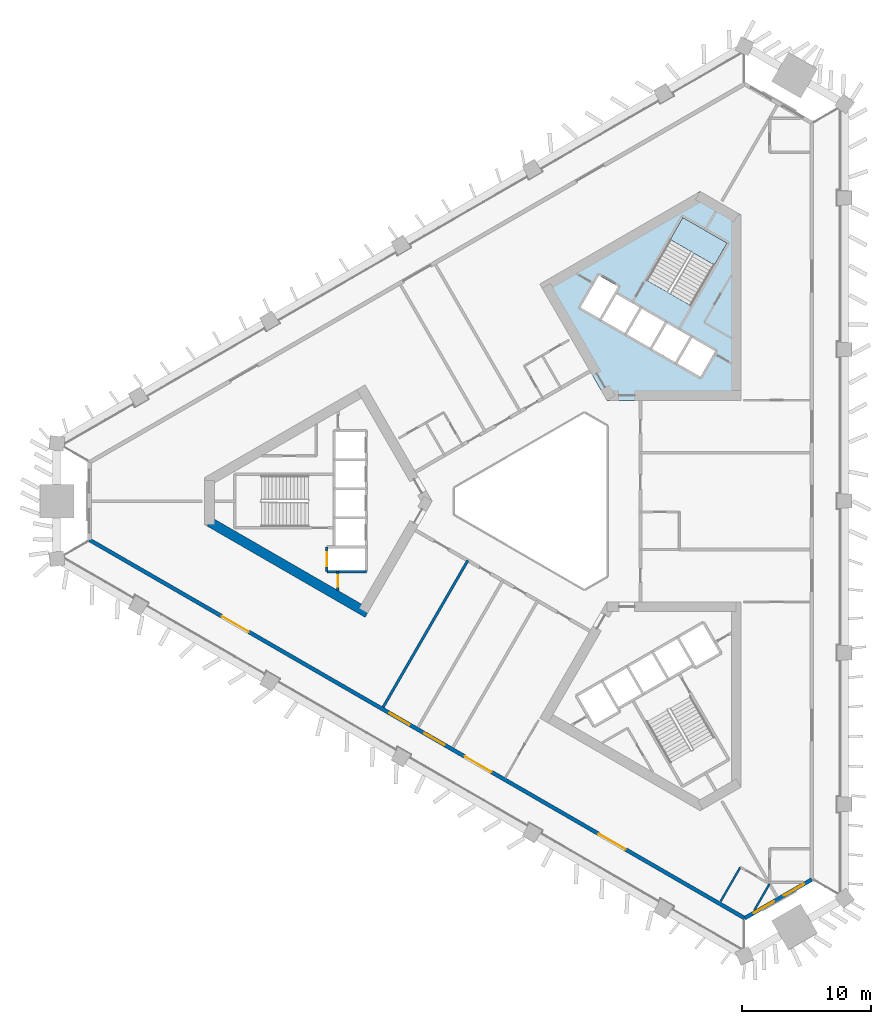
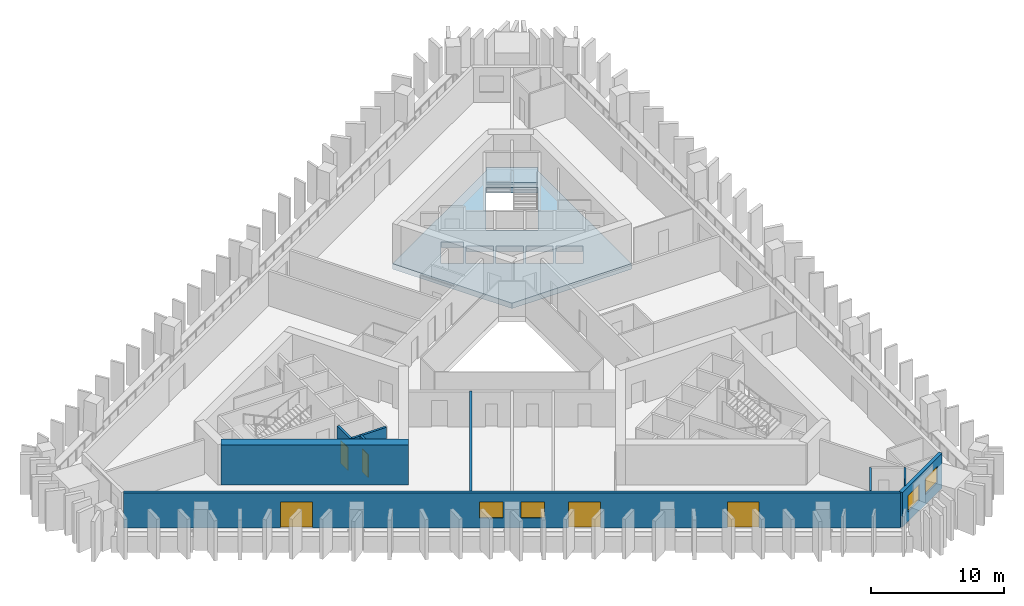
# One storey, part 2 of 10: 9 walls, 5 doors, 4 windows, 2 slabs, 9 openings, 1 element without a shape of its own.
"""IFC4 building model written with IfcOpenShell, lengths in metres."""

import ifcopenshell
import ifcopenshell.guid

model = None  # the IFC model being written
_history = None  # IfcOwnerHistory: only IFC2X3 demands one
_inside = {}  # id of a spatial element -> (the spatial element, [elements in it])
_under = {}  # id of a project, library or spatial element -> (it, [spatial elements below it])
_declared = {}  # id of a project -> (the project, [libraries it declares])
_typed = {}  # id of a type object -> (the type object, [elements of that type])
_made_of = {}  # id of a material, layer set ... -> (it, [elements and type objects made of it])


def new_model(schema):
    """Start an empty IFC model of exactly this schema.

    Asked for "IFC4X3", IfcOpenShell would pick the latest addendum, in which some entities
    have other attributes; the version numbers below select the first issue.
    IFC2X3 requires an IfcOwnerHistory on every rooted entity: one is made here for all.
    """
    global model, _history
    if schema == "IFC4X3":
        model = ifcopenshell.file(schema_version=(4, 3, 0, 0))
    else:
        model = ifcopenshell.file(schema=schema)
    _inside.clear()
    _under.clear()
    _declared.clear()
    _typed.clear()
    _made_of.clear()
    _history = None
    if model.schema == "IFC2X3":
        org = make("IfcOrganization", Name="unknown")
        user = make(
            "IfcPersonAndOrganization",
            ThePerson=make("IfcPerson", FamilyName="unknown"),
            TheOrganization=org,
        )
        app = make(
            "IfcApplication",
            ApplicationDeveloper=org,
            Version="unknown",
            ApplicationFullName="unknown",
            ApplicationIdentifier="unknown",
        )
        _history = make(
            "IfcOwnerHistory",
            OwningUser=user,
            OwningApplication=app,
            ChangeAction="ADDED",
            CreationDate=0,
        )
    return model


def make(cls, **values):
    """One entity of the class cls with the attributes given. An attribute that is None is left unset."""
    return model.create_entity(
        cls, **{name: value for name, value in values.items() if value is not None}
    )


def rooted(cls, **values):
    """An entity with a GlobalId (a new one), such as an element, a storey or a relation."""
    return make(cls, GlobalId=ifcopenshell.guid.new(), OwnerHistory=_history, **values)


def si_unit(unit_type, name, prefix=None):
    """IfcSIUnit, for example si_unit("LENGTHUNIT", "METRE", prefix="MILLI")."""
    return make("IfcSIUnit", UnitType=unit_type, Prefix=prefix, Name=name)


def assignment(units):
    """IfcUnitAssignment: the units of a project."""
    return None if units is None else make("IfcUnitAssignment", Units=units)


def point(xyz):
    """IfcCartesianPoint."""
    return None if xyz is None else make("IfcCartesianPoint", Coordinates=xyz)


def direction(xyz):
    """IfcDirection."""
    return None if xyz is None else make("IfcDirection", DirectionRatios=xyz)


def frame(location, z_axis=None, x_axis=None):
    """IfcAxis2Placement3D, a coordinate frame: its origin and axes. An axis left out is left unset."""
    return make(
        "IfcAxis2Placement3D",
        Location=point(location),
        Axis=direction(z_axis),
        RefDirection=direction(x_axis),
    )


def frame_2d(location, x_axis=None):
    """IfcAxis2Placement2D, a coordinate frame in the plane: its origin and x axis."""
    return make(
        "IfcAxis2Placement2D", Location=point(location), RefDirection=direction(x_axis)
    )


def origin():
    """The frame at (0, 0, 0) with its axes left unset."""
    return frame((0.0, 0.0, 0.0))


def place(relative_to, where):
    """IfcLocalPlacement: puts the frame where relative to a parent placement (None: the world)."""
    return make(
        "IfcLocalPlacement", PlacementRelTo=relative_to, RelativePlacement=where
    )


def context(
    kind, dimensions, precision=None, world=None, true_north=None, identifier=None
):
    """IfcGeometricRepresentationContext, for example the 3D "Model" context."""
    return make(
        "IfcGeometricRepresentationContext",
        ContextIdentifier=identifier,
        ContextType=kind,
        CoordinateSpaceDimension=dimensions,
        Precision=precision,
        WorldCoordinateSystem=world,
        TrueNorth=true_north,
    )


def subcontext(parent, identifier, kind, view, scale=None):
    """IfcGeometricRepresentationSubContext, for example "Body" below "Model"."""
    return make(
        "IfcGeometricRepresentationSubContext",
        ContextIdentifier=identifier,
        ContextType=kind,
        ParentContext=parent,
        TargetScale=scale,
        TargetView=view,
    )


def project(units=None, contexts=None):
    """IfcProject with its units and contexts."""
    return rooted(
        "IfcProject",
        Name="project",
        RepresentationContexts=contexts,
        UnitsInContext=assignment(units),
    )


def spatial(cls, under=None, at=None, **own):
    """A site, building, storey or space (cls), placed at a placement, below another one or the project."""
    s = rooted(cls, ObjectPlacement=at, **own)
    if under is not None:
        _under.setdefault(under.id(), (under, []))[1].append(s)
    return s


def polyline(points):
    """IfcPolyline through the points."""
    return make("IfcPolyline", Points=[point(p) for p in points])


def profile(cls, at=None, kind="AREA", **sizes):
    """A parametric profile (cls). Its sizes go by their IFC names, for example OverallWidth=200.0."""
    return make(cls, ProfileType=kind, Position=at, **sizes)


def rectangle(**sizes):
    """IfcRectangleProfileDef."""
    return profile("IfcRectangleProfileDef", **sizes)


def outline(outer, holes=None, kind="AREA"):
    """IfcArbitraryClosedProfileDef: a profile drawn as a closed curve; with holes, ...WithVoids."""
    if holes is None:
        return make("IfcArbitraryClosedProfileDef", ProfileType=kind, OuterCurve=outer)
    return make(
        "IfcArbitraryProfileDefWithVoids",
        ProfileType=kind,
        OuterCurve=outer,
        InnerCurves=holes,
    )


def extrude(swept, where, along, depth):
    """IfcExtrudedAreaSolid: the profile swept, set in the frame where, extruded along a direction by depth."""
    return make(
        "IfcExtrudedAreaSolid",
        SweptArea=swept,
        Position=where,
        ExtrudedDirection=direction(along),
        Depth=depth,
    )


def shape(context_of_items, identifier, shape_type, items):
    """IfcShapeRepresentation: the items that make up one representation, for example the "Body"."""
    return make(
        "IfcShapeRepresentation",
        ContextOfItems=context_of_items,
        RepresentationIdentifier=identifier,
        RepresentationType=shape_type,
        Items=items,
    )


def material(Name=None, Category=None):
    """IfcMaterial."""
    return make("IfcMaterial", Name=Name, Category=Category)


def layer(
    of_material, thickness, ventilated=None, Name=None, Category=None, Priority=None
):
    """IfcMaterialLayer: one layer of a wall or slab, of a material (None: an air gap)."""
    return make(
        "IfcMaterialLayer",
        Material=of_material,
        LayerThickness=thickness,
        IsVentilated=ventilated,
        Name=Name,
        Category=Category,
        Priority=Priority,
    )


def layer_set(layers, Name=None):
    """IfcMaterialLayerSet."""
    return make("IfcMaterialLayerSet", MaterialLayers=layers, LayerSetName=Name)


def made_of(thing, what):
    """Note that an element or type object is made of a material, layer set ...; save() writes the relation."""
    if what is not None:
        _made_of.setdefault(what.id(), (what, []))[1].append(thing)
    return thing


def type_object(cls, material=None, **own):
    """A type object (cls), such as IfcWallType, which elements share."""
    return made_of(rooted(cls, **own), material)


def element(
    cls,
    number,
    at=None,
    inside=None,
    cuts=None,
    type_object=None,
    material=None,
    context=None,
    identifier="Body",
    shape_type=None,
    held_by="IfcProductDefinitionShape",
    body=None,
    shapes=None,
    **own,
):
    """One element of the class cls, such as IfcWall. Its Tag is "e" and its number.

    at: its placement. inside: the storey or other place that contains it. cuts: it is an
    opening in that element (IfcRelVoidsElement). A single representation is given by context,
    identifier, shape_type and body (its items); several are given by shapes. held_by: the class
    of the entity that holds the representations. save() writes the other relations.
    """
    e = rooted(cls, Tag="e%d" % number, ObjectPlacement=at, **own)
    if body is not None:
        shapes = [shape(context, identifier, shape_type, body)]
    if shapes is not None:
        e.Representation = make(held_by, Representations=shapes)
    if inside is not None:
        _inside.setdefault(inside.id(), (inside, []))[1].append(e)
    if cuts is not None:
        rooted(
            "IfcRelVoidsElement", RelatingBuildingElement=cuts, RelatedOpeningElement=e
        )
    if type_object is not None:
        _typed.setdefault(type_object.id(), (type_object, []))[1].append(e)
    return made_of(e, material)


def fill(opening, filler):
    """IfcRelFillsElement: the door or window that sits in an opening."""
    return rooted(
        "IfcRelFillsElement",
        RelatingOpeningElement=opening,
        RelatedBuildingElement=filler,
    )


def aggregate(whole, parts):
    """IfcRelAggregates: a whole, such as a stair, and the parts it consists of."""
    return rooted("IfcRelAggregates", RelatingObject=whole, RelatedObjects=parts)


def save(model, path):
    """Write the relations noted so far, then the file.

    IfcRelAggregates (storeys below a building ...), IfcRelContainedInSpatialStructure (elements
    in a storey), IfcRelDefinesByType, IfcRelAssociatesMaterial and IfcRelDeclares: one each for
    every whole, place, type object, material and project.
    """
    for whole, parts in _under.values():
        aggregate(whole, parts)
    for where, things in _inside.values():
        rooted(
            "IfcRelContainedInSpatialStructure",
            RelatedElements=things,
            RelatingStructure=where,
        )
    for kind, things in _typed.values():
        rooted("IfcRelDefinesByType", RelatedObjects=things, RelatingType=kind)
    for what, things in _made_of.values():
        rooted("IfcRelAssociatesMaterial", RelatedObjects=things, RelatingMaterial=what)
    for by, libraries in _declared.values():
        rooted("IfcRelDeclares", RelatingContext=by, RelatedDefinitions=libraries)
    model.write(path)


model = new_model("IFC4")

# Units and contexts
model_context = context("Model", 3, precision=1e-05, world=origin(), true_north=direction((0.0, 1.0)))
body_context = subcontext(model_context, "Body", "Model", "MODEL_VIEW")
ifc_project = project(units=[si_unit("LENGTHUNIT", "METRE"), si_unit("AREAUNIT", "SQUARE_METRE"), si_unit("VOLUMEUNIT", "CUBIC_METRE"), si_unit("PLANEANGLEUNIT", "RADIAN"), si_unit("MASSUNIT", "GRAM", prefix="KILO")], contexts=[model_context])

# Site, building, storey
site_placement = place(None, origin())
site = spatial("IfcSite", under=ifc_project, at=site_placement, CompositionType="ELEMENT")
building_placement = place(site_placement, origin())
building = spatial("IfcBuilding", under=site, at=building_placement, Name="Jabali Bay Hotel Tower and Convention Centre", CompositionType="ELEMENT")
storey_placement = place(building_placement, frame((0.0, 0.0, 86.89990234375)))
storey = spatial("IfcBuildingStorey", under=building, at=storey_placement, Name="L20", CompositionType="ELEMENT", Elevation=86.89990234375)

# Slab
ifc_material_1 = material(Name="Concrete C40", Category="concrete")
ifc_layer_1 = layer(ifc_material_1, 0.5)
ifc_layer_set_1 = layer_set([ifc_layer_1], Name="Concrete C40")
slab_type_1 = type_object("IfcSlabType", Name="Core floor slab 500", PredefinedType="FLOOR", material=ifc_layer_set_1)
slab_1_placement = place(storey_placement, frame((0.0, 0.0, -0.5)))
element("IfcSlab", 1, at=slab_1_placement, inside=storey, type_object=slab_type_1, Name="Core floor slab 2 L20", PredefinedType="FLOOR", context=body_context, shape_type="SweptSolid", body=[
    extrude(outline(polyline([(79.5, 87.794189453125), (89.8798828125, 87.794189453125), (89.8798828125, 102.127685546875), (86.72314453125, 103.9501953125), (74.31005859375, 96.78369140625), (79.5, 87.794189453125)]), holes=[polyline([(84.957763671875, 90.6474609375), (86.733154296875, 89.62255859375), (87.873291015625, 91.59716796875), (86.097900390625, 92.6220703125), (84.957763671875, 90.6474609375)]), polyline([(84.1494140625, 93.7470703125), (83.00927734375, 91.7724609375), (84.78466796875, 90.74755859375), (85.924560546875, 92.72216796875), (84.1494140625, 93.7470703125)]), polyline([(82.20068359375, 94.8720703125), (81.060791015625, 92.8974609375), (82.836181640625, 91.87255859375), (83.97607421875, 93.84716796875), (82.20068359375, 94.8720703125)]), polyline([(79.1123046875, 94.0224609375), (80.887451171875, 92.99755859375), (82.027587890625, 94.97216796875), (80.252197265625, 95.9970703125), (79.1123046875, 94.0224609375)]), polyline([(78.891845703125, 97.440673828125), (77.466796875, 94.97265625), (78.93896484375, 94.12255859375), (80.364013671875, 96.5908203125), (78.891845703125, 97.440673828125)]), polyline([(82.584716796875, 97.0869140625), (86.00537109375, 95.11181640625), (88.80029296875, 99.952880859375), (85.379638671875, 101.927978515625), (82.584716796875, 97.0869140625)])]), origin(), (0.0, 0.0, 1.0), 0.5),
])

# Stair, slab
stair_type = type_object("IfcStairType", Name="Exit stair 1900", PredefinedType="HALF_TURN_STAIR", material=ifc_material_1)
stair_placement = place(storey_placement, origin())
stair = element("IfcStair", 2, at=stair_placement, inside=storey, type_object=stair_type, Name="L20 Exit Stair 2", PredefinedType="HALF_TURN_STAIR")
ifc_layer_2 = layer(ifc_material_1, 0.199951171875)
ifc_layer_set_2 = layer_set([ifc_layer_2], Name="Concrete C40")
slab_type_2 = type_object("IfcSlabType", Name="Stair landing 200", PredefinedType="LANDING", material=ifc_layer_set_2)
slab_2_placement = place(storey_placement, frame((0.0, 0.0, 1.650146484375)))
slab_2 = element("IfcSlab", 3, at=slab_2_placement, type_object=slab_type_2, Name="ST2 landing 1", PredefinedType="LANDING", context=body_context, shape_type="SweptSolid", body=[
    extrude(outline(polyline([(87.81884765625, 98.2529296875), (88.80029296875, 99.952880859375), (85.379638671875, 101.927978515625), (84.398193359375, 100.22802734375), (87.81884765625, 98.2529296875)])), origin(), (0.0, 0.0, 1.0), 0.199951171875),
])
aggregate(stair, [slab_2])

# Wall, opening, door
ifc_layer_3 = layer(ifc_material_1, 0.199951171875)
ifc_layer_set_3 = layer_set([ifc_layer_3], Name="Concrete C40")
wall_type_1 = type_object("IfcWallType", Name="Core partition wall 200", PredefinedType="PARTITIONING", material=ifc_layer_set_3)
wall_1_placement = place(storey_placement, frame((58.699951171875, 74.550048828125, 0.0), z_axis=(0.0, 0.0, 1.0), x_axis=(0.0, -1.0, 0.0)))
wall_1 = element("IfcWall", 4, at=wall_1_placement, inside=storey, type_object=wall_type_1, Name="Core wall 0.12 L20", PredefinedType="PARTITIONING", context=body_context, shape_type="SweptSolid", body=[
    extrude(rectangle(XDim=1.455078125, YDim=0.199951171875, at=frame_2d((0.7275390625, 0.0))), origin(), (0.0, 0.0, 1.0), 3.2001953125),
])
opening_1_placement = place(wall_1_placement, frame((0.277587890625, 0.0, 0.0)))
opening_1 = element("IfcOpeningElement", 5, at=opening_1_placement, cuts=wall_1, Name="Opening D476", PredefinedType="OPENING", context=body_context, shape_type="SweptSolid", body=[
    extrude(rectangle(XDim=0.89990234375, YDim=2.10009765625, at=frame_2d((0.449951171875, 1.050048828125))), frame((0.0, 0.1103515625, 0.0), z_axis=(0.0, -1.0, 0.0), x_axis=(1.0, 0.0, 0.0)), (0.0, 0.0, 1.0), 0.220947265625),
])
ifc_material_2 = material(Name="Fire-rated steel door", Category="steel")
door_type_1 = type_object("IfcDoorType", Name="Vestibule fire door 900 x 2100", OperationType="NOTDEFINED", PredefinedType="NOTDEFINED", material=ifc_material_2)
door_1_placement = place(opening_1_placement, origin())
door_1 = element("IfcDoor", 6, at=door_1_placement, inside=storey, type_object=door_type_1, Name="Vestibule fire door D476", OperationType="SINGLE_SWING_LEFT", OverallHeight=2.10009765625, OverallWidth=0.89990234375, PredefinedType="NOTDEFINED", context=body_context, shape_type="SweptSolid", body=[
    extrude(rectangle(XDim=0.89990234375, YDim=2.10009765625, at=frame_2d((0.449951171875, 1.050048828125))), frame((0.0, 0.02490234375, 0.0), z_axis=(0.0, -1.0, 0.0), x_axis=(1.0, 0.0, 0.0)), (0.0, 0.0, 1.0), 0.050048828125),
])
fill(opening_1, door_1)

# Wall
ifc_layer_4 = layer(ifc_material_1, 0.199951171875)
ifc_layer_set_4 = layer_set([ifc_layer_4], Name="Concrete C40")
wall_type_2 = type_object("IfcWallType", Name="Core stair wall 200", PredefinedType="SOLIDWALL", material=ifc_layer_set_4)
wall_2_placement = place(storey_placement, frame((60.89990234375, 74.550048828125, 0.0), z_axis=(0.0, 0.0, 1.0), x_axis=(-1.0, 0.0, 0.0)))
element("IfcWall", 7, at=wall_2_placement, inside=storey, type_object=wall_type_2, Name="Core wall 0.9 L20", PredefinedType="SOLIDWALL", context=body_context, shape_type="SweptSolid", body=[
    extrude(rectangle(XDim=3.0498046875, YDim=0.199951171875, at=frame_2d((1.52490234375, 0.0))), origin(), (0.0, 0.0, 1.0), 3.2001953125),
])

# Wall, opening, door
wall_3_placement = place(storey_placement, frame((57.85009765625, 76.449951171875, 0.0), z_axis=(0.0, 0.0, 1.0), x_axis=(0.0, -1.0, 0.0)))
wall_3 = element("IfcWall", 8, at=wall_3_placement, inside=storey, type_object=wall_type_2, Name="Core wall 0.14 L20", PredefinedType="SOLIDWALL", context=body_context, shape_type="SweptSolid", body=[
    extrude(rectangle(XDim=1.89990234375, YDim=0.199951171875, at=frame_2d((0.949951171875, 0.0))), origin(), (0.0, 0.0, 1.0), 3.2001953125),
])
opening_2_placement = place(wall_3_placement, frame((0.39990234375, 0.0, 0.0)))
opening_2 = element("IfcOpeningElement", 9, at=opening_2_placement, cuts=wall_3, Name="Opening LD5-L20", PredefinedType="OPENING", context=body_context, shape_type="SweptSolid", body=[
    extrude(rectangle(XDim=1.10009765625, YDim=2.10009765625, at=frame_2d((0.550048828125, 1.050048828125))), frame((0.0, 0.1103515625, 0.0), z_axis=(0.0, -1.0, 0.0), x_axis=(1.0, 0.0, 0.0)), (0.0, 0.0, 1.0), 0.220947265625),
])
ifc_material_3 = material(Name="Stainless steel landing door", Category="steel")
door_type_2 = type_object("IfcDoorType", Name="Landing door 1100 x 2100", OperationType="NOTDEFINED", PredefinedType="NOTDEFINED", material=ifc_material_3)
door_2_placement = place(opening_2_placement, origin())
door_2 = element("IfcDoor", 10, at=door_2_placement, inside=storey, type_object=door_type_2, Name="Landing doors LD5-L20", OperationType="SLIDING_TO_RIGHT", OverallHeight=2.10009765625, OverallWidth=1.10009765625, PredefinedType="NOTDEFINED", context=body_context, shape_type="SweptSolid", body=[
    extrude(rectangle(XDim=1.10009765625, YDim=2.10009765625, at=frame_2d((0.550048828125, 1.050048828125))), frame((0.0, 0.02490234375, 0.0), z_axis=(0.0, -1.0, 0.0), x_axis=(1.0, 0.0, 0.0)), (0.0, 0.0, 1.0), 0.050048828125),
])
fill(opening_2, door_2)

# Wall
ifc_material_4 = material(Name="Concrete C60", Category="concrete")
ifc_layer_5 = layer(ifc_material_4, 0.75)
ifc_layer_set_5 = layer_set([ifc_layer_5], Name="Concrete C60")
wall_type_3 = type_object("IfcWallType", Name="Core wall 750", PredefinedType="SHEAR", material=ifc_layer_set_5)
wall_4_placement = place(storey_placement, frame((48.77197265625, 78.393798828125, 0.0), z_axis=(0.0, 0.0, 1.0), x_axis=(0.866028339916, -0.499994914436, 0.0)))
element("IfcWall", 11, at=wall_4_placement, inside=storey, type_object=wall_type_3, Name="Core wall 1.4 L20", PredefinedType="SHEAR", context=body_context, shape_type="SweptSolid", body=[
    extrude(rectangle(XDim=14.116943359375, YDim=0.75, at=frame_2d((7.05859375, 0.0))), origin(), (0.0, 0.0, 1.0), 3.7001953125),
])

# Wall, openings, windows
ifc_layer_6 = layer(ifc_material_1, 0.300048828125)
ifc_layer_set_6 = layer_set([ifc_layer_6], Name="Concrete C40")
wall_type_4 = type_object("IfcWallType", Name="External wall 300", PredefinedType="SOLIDWALL", material=ifc_layer_set_6)
wall_5_placement = place(storey_placement, frame((95.351318359375, 50.739013671875, 0.0), z_axis=(0.0, 0.0, 1.0), x_axis=(-0.866026717539, -0.499997724503, 0.0)))
wall_5 = element("IfcWall", 12, at=wall_5_placement, inside=storey, type_object=wall_type_4, Name="External wall south-east chamfer L20", PredefinedType="SOLIDWALL", context=body_context, shape_type="SweptSolid", body=[
    extrude(rectangle(XDim=5.98828125, YDim=0.300048828125, at=frame_2d((2.994140625, 0.0))), origin(), (0.0, 0.0, 1.0), 3.2001953125),
])
opening_3_placement = place(wall_5_placement, frame((0.693359375, 0.0, 0.89990234375)))
opening_3 = element("IfcOpeningElement", 13, at=opening_3_placement, cuts=wall_5, Name="Opening W1", PredefinedType="OPENING", context=body_context, shape_type="SweptSolid", body=[
    extrude(rectangle(XDim=1.800048828125, YDim=1.5, at=frame_2d((0.89990234375, 0.75))), frame((0.0, 0.16064453125, 0.0), z_axis=(0.0, -1.0, 0.0), x_axis=(1.0, 0.0, 0.0)), (0.0, 0.0, 1.0), 0.321044921875),
])
opening_4_placement = place(wall_5_placement, frame((3.388671875, 0.0, 0.89990234375)))
opening_4 = element("IfcOpeningElement", 14, at=opening_4_placement, cuts=wall_5, Name="Opening W1", PredefinedType="OPENING", context=body_context, shape_type="SweptSolid", body=[
    extrude(rectangle(XDim=1.800048828125, YDim=1.5, at=frame_2d((0.89990234375, 0.75))), frame((0.0, 0.16064453125, 0.0), z_axis=(0.0, -1.0, 0.0), x_axis=(1.0, 0.0, 0.0)), (0.0, 0.0, 1.0), 0.321044921875),
])
ifc_material_5 = material(Name="Glass", Category="glass")
window_type = type_object("IfcWindowType", Name="Window 1800 x 1500", PartitioningType="SINGLE_PANEL", PredefinedType="WINDOW", material=ifc_material_5)
window_1_placement = place(opening_3_placement, origin())
window_1 = element("IfcWindow", 15, at=window_1_placement, inside=storey, type_object=window_type, Name="Window 2001", OverallHeight=1.5, OverallWidth=1.800048828125, PartitioningType="SINGLE_PANEL", PredefinedType="WINDOW", context=body_context, shape_type="SweptSolid", body=[
    extrude(rectangle(XDim=1.800048828125, YDim=1.5, at=frame_2d((0.89990234375, 0.75))), frame((0.0, 0.030029296875, 0.0), z_axis=(0.0, -1.0, 0.0), x_axis=(1.0, 0.0, 0.0)), (0.0, 0.0, 1.0), 0.06005859375),
])
fill(opening_3, window_1)
window_2_placement = place(opening_4_placement, origin())
window_2 = element("IfcWindow", 16, at=window_2_placement, inside=storey, type_object=window_type, Name="Window 2009", OverallHeight=1.5, OverallWidth=1.800048828125, PartitioningType="SINGLE_PANEL", PredefinedType="WINDOW", context=body_context, shape_type="SweptSolid", body=[
    extrude(rectangle(XDim=1.800048828125, YDim=1.5, at=frame_2d((0.89990234375, 0.75))), frame((0.0, 0.030029296875, 0.0), z_axis=(0.0, -1.0, 0.0), x_axis=(1.0, 0.0, 0.0)), (0.0, 0.0, 1.0), 0.06005859375),
])
fill(opening_4, window_2)

# Wall, openings, doors, windows
wall_6_placement = place(storey_placement, frame((90.165283203125, 47.744873046875, 0.0), z_axis=(0.0, 0.0, 1.0), x_axis=(-0.866025940441, 0.499999070483, 0.0)))
wall_6 = element("IfcWall", 17, at=wall_6_placement, inside=storey, type_object=wall_type_4, Name="External wall south-west face L20", PredefinedType="SOLIDWALL", context=body_context, shape_type="SweptSolid", body=[
    extrude(rectangle(XDim=58.52197265625, YDim=0.300048828125, at=frame_2d((29.260986328125, 0.0))), origin(), (0.0, 0.0, 1.0), 3.2001953125),
])
opening_5_placement = place(wall_6_placement, frame((44.293701171875, 0.0, 0.0)))
opening_5 = element("IfcOpeningElement", 18, at=opening_5_placement, cuts=wall_6, Name="Opening SD1", PredefinedType="OPENING", context=body_context, shape_type="SweptSolid", body=[
    extrude(rectangle(XDim=2.39990234375, YDim=2.39990234375, at=frame_2d((1.199951171875, 1.199951171875))), frame((0.0, 0.16064453125, 0.0), z_axis=(0.0, -1.0, 0.0), x_axis=(1.0, 0.0, 0.0)), (0.0, 0.0, 1.0), 0.321044921875),
])
opening_6_placement = place(wall_6_placement, frame((22.60498046875, 0.0, 0.0)))
opening_6 = element("IfcOpeningElement", 19, at=opening_6_placement, cuts=wall_6, Name="Opening SD1", PredefinedType="OPENING", context=body_context, shape_type="SweptSolid", body=[
    extrude(rectangle(XDim=2.39990234375, YDim=2.39990234375, at=frame_2d((1.199951171875, 1.199951171875))), frame((0.0, 0.16064453125, 0.0), z_axis=(0.0, -1.0, 0.0), x_axis=(1.0, 0.0, 0.0)), (0.0, 0.0, 1.0), 0.321044921875),
])
opening_7_placement = place(wall_6_placement, frame((10.65771484375, 0.0, 0.0)))
opening_7 = element("IfcOpeningElement", 20, at=opening_7_placement, cuts=wall_6, Name="Opening SD1", PredefinedType="OPENING", context=body_context, shape_type="SweptSolid", body=[
    extrude(rectangle(XDim=2.39990234375, YDim=2.39990234375, at=frame_2d((1.199951171875, 1.199951171875))), frame((0.0, 0.16064453125, 0.0), z_axis=(0.0, -1.0, 0.0), x_axis=(1.0, 0.0, 0.0)), (0.0, 0.0, 1.0), 0.321044921875),
])
opening_8_placement = place(wall_6_placement, frame((29.919921875, 0.0, 0.89990234375)))
opening_8 = element("IfcOpeningElement", 21, at=opening_8_placement, cuts=wall_6, Name="Opening W1", PredefinedType="OPENING", context=body_context, shape_type="SweptSolid", body=[
    extrude(rectangle(XDim=1.800048828125, YDim=1.5, at=frame_2d((0.89990234375, 0.75))), frame((0.0, 0.16064453125, 0.0), z_axis=(0.0, -1.0, 0.0), x_axis=(1.0, 0.0, 0.0)), (0.0, 0.0, 1.0), 0.321044921875),
])
opening_9_placement = place(wall_6_placement, frame((26.80224609375, 0.0, 0.89990234375)))
opening_9 = element("IfcOpeningElement", 22, at=opening_9_placement, cuts=wall_6, Name="Opening W1", PredefinedType="OPENING", context=body_context, shape_type="SweptSolid", body=[
    extrude(rectangle(XDim=1.800048828125, YDim=1.5, at=frame_2d((0.89990234375, 0.75))), frame((0.0, 0.16064453125, 0.0), z_axis=(0.0, -1.0, 0.0), x_axis=(1.0, 0.0, 0.0)), (0.0, 0.0, 1.0), 0.321044921875),
])
door_type_3 = type_object("IfcDoorType", Name="Loggia sliding door 2400 x 2400", OperationType="NOTDEFINED", PredefinedType="NOTDEFINED", material=ifc_material_5)
door_3_placement = place(opening_5_placement, origin())
door_3 = element("IfcDoor", 23, at=door_3_placement, inside=storey, type_object=door_type_3, Name="Loggia sliding door 2006", OperationType="SLIDING_TO_LEFT", OverallHeight=2.39990234375, OverallWidth=2.39990234375, PredefinedType="NOTDEFINED", context=body_context, shape_type="SweptSolid", body=[
    extrude(rectangle(XDim=2.39990234375, YDim=2.39990234375, at=frame_2d((1.199951171875, 1.199951171875))), frame((0.0, 0.02490234375, 0.0), z_axis=(0.0, -1.0, 0.0), x_axis=(1.0, 0.0, 0.0)), (0.0, 0.0, 1.0), 0.050048828125),
])
fill(opening_5, door_3)
door_4_placement = place(opening_6_placement, origin())
door_4 = element("IfcDoor", 24, at=door_4_placement, inside=storey, type_object=door_type_3, Name="Loggia sliding door 2009", OperationType="SLIDING_TO_RIGHT", OverallHeight=2.39990234375, OverallWidth=2.39990234375, PredefinedType="NOTDEFINED", context=body_context, shape_type="SweptSolid", body=[
    extrude(rectangle(XDim=2.39990234375, YDim=2.39990234375, at=frame_2d((1.199951171875, 1.199951171875))), frame((0.0, 0.02490234375, 0.0), z_axis=(0.0, -1.0, 0.0), x_axis=(1.0, 0.0, 0.0)), (0.0, 0.0, 1.0), 0.050048828125),
])
fill(opening_6, door_4)
door_5_placement = place(opening_7_placement, origin())
door_5 = element("IfcDoor", 25, at=door_5_placement, inside=storey, type_object=door_type_3, Name="Loggia sliding door 2009", OperationType="SLIDING_TO_LEFT", OverallHeight=2.39990234375, OverallWidth=2.39990234375, PredefinedType="NOTDEFINED", context=body_context, shape_type="SweptSolid", body=[
    extrude(rectangle(XDim=2.39990234375, YDim=2.39990234375, at=frame_2d((1.199951171875, 1.199951171875))), frame((0.0, 0.02490234375, 0.0), z_axis=(0.0, -1.0, 0.0), x_axis=(1.0, 0.0, 0.0)), (0.0, 0.0, 1.0), 0.050048828125),
])
fill(opening_7, door_5)
window_3_placement = place(opening_8_placement, origin())
window_3 = element("IfcWindow", 26, at=window_3_placement, inside=storey, type_object=window_type, Name="Window 2007", OverallHeight=1.5, OverallWidth=1.800048828125, PartitioningType="SINGLE_PANEL", PredefinedType="WINDOW", context=body_context, shape_type="SweptSolid", body=[
    extrude(rectangle(XDim=1.800048828125, YDim=1.5, at=frame_2d((0.89990234375, 0.75))), frame((0.0, 0.030029296875, 0.0), z_axis=(0.0, -1.0, 0.0), x_axis=(1.0, 0.0, 0.0)), (0.0, 0.0, 1.0), 0.06005859375),
])
fill(opening_8, window_3)
window_4_placement = place(opening_9_placement, origin())
window_4 = element("IfcWindow", 27, at=window_4_placement, inside=storey, type_object=window_type, Name="Window 2008", OverallHeight=1.5, OverallWidth=1.800048828125, PartitioningType="SINGLE_PANEL", PredefinedType="WINDOW", context=body_context, shape_type="SweptSolid", body=[
    extrude(rectangle(XDim=1.800048828125, YDim=1.5, at=frame_2d((0.89990234375, 0.75))), frame((0.0, 0.030029296875, 0.0), z_axis=(0.0, -1.0, 0.0), x_axis=(1.0, 0.0, 0.0)), (0.0, 0.0, 1.0), 0.06005859375),
])
fill(opening_9, window_4)

# Walls
ifc_material_6 = material(Name="Plasterboard on steel stud", Category="steel")
ifc_layer_7 = layer(ifc_material_6, 0.14990234375)
ifc_layer_set_7 = layer_set([ifc_layer_7], Name="Plasterboard on steel stud")
wall_type_5 = type_object("IfcWallType", Name="Partition 150 wet", PredefinedType="PARTITIONING", material=ifc_layer_set_7)
wall_7_placement = place(storey_placement, frame((88.297119140625, 49.042724609375, 0.0), z_axis=(0.0, 0.0, 1.0), x_axis=(0.499966498333, 0.866044745117, 0.0)))
element("IfcWall", 28, at=wall_7_placement, inside=storey, type_object=wall_type_5, Name="Partition P03 L20 031", PredefinedType="PARTITIONING", context=body_context, shape_type="SweptSolid", body=[
    extrude(rectangle(XDim=3.059814453125, YDim=0.14990234375, at=frame_2d((1.52978515625, 0.0))), origin(), (0.0, 0.0, 1.0), 3.2001953125),
])
wall_8_placement = place(storey_placement, frame((92.07861328125, 50.392578125, 0.0), z_axis=(0.0, 0.0, 1.0), x_axis=(-0.499953838557, -0.866052053466, 0.0)))
element("IfcWall", 29, at=wall_8_placement, inside=storey, type_object=wall_type_5, Name="Partition P03 L20 033", PredefinedType="PARTITIONING", context=body_context, shape_type="SweptSolid", body=[
    extrude(rectangle(XDim=2.374755859375, YDim=0.14990234375, at=frame_2d((1.1875, 0.0))), origin(), (0.0, 0.0, 1.0), 3.2001953125),
])
ifc_layer_8 = layer(ifc_material_6, 0.199951171875)
ifc_layer_set_8 = layer_set([ifc_layer_8], Name="Plasterboard on steel stud")
wall_type_6 = type_object("IfcWallType", Name="Partition 200 party", PredefinedType="PARTITIONING", material=ifc_layer_set_8)
wall_9_placement = place(storey_placement, frame((62.198974609375, 64.063232421875, 0.0), z_axis=(0.0, 0.0, 1.0), x_axis=(0.499992894173, 0.866029506297, 0.0)))
element("IfcWall", 30, at=wall_9_placement, inside=storey, type_object=wall_type_6, Name="Partition P01 L20 027", PredefinedType="PARTITIONING", context=body_context, shape_type="SweptSolid", body=[
    extrude(rectangle(XDim=13.102294921875, YDim=0.199951171875, at=frame_2d((6.55126953125, 0.0))), origin(), (0.0, 0.0, 1.0), 3.2001953125),
])

save(model, "model.ifc")
